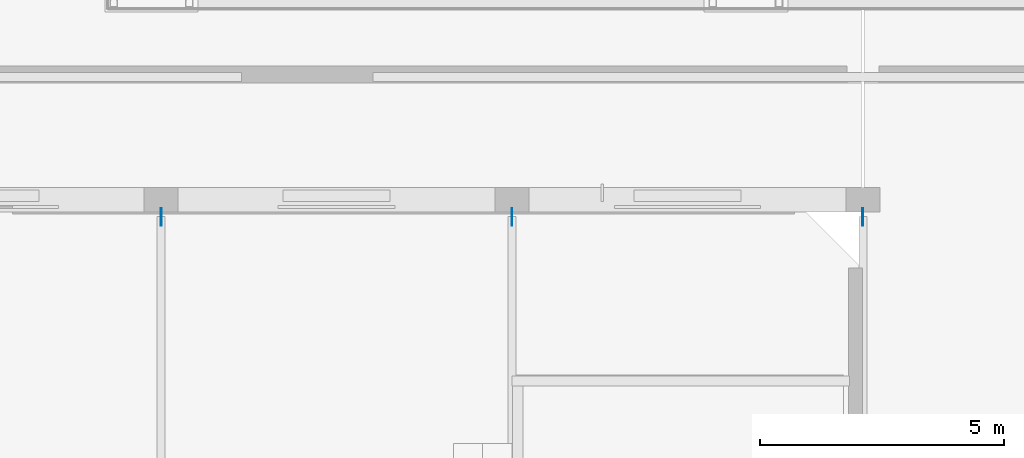
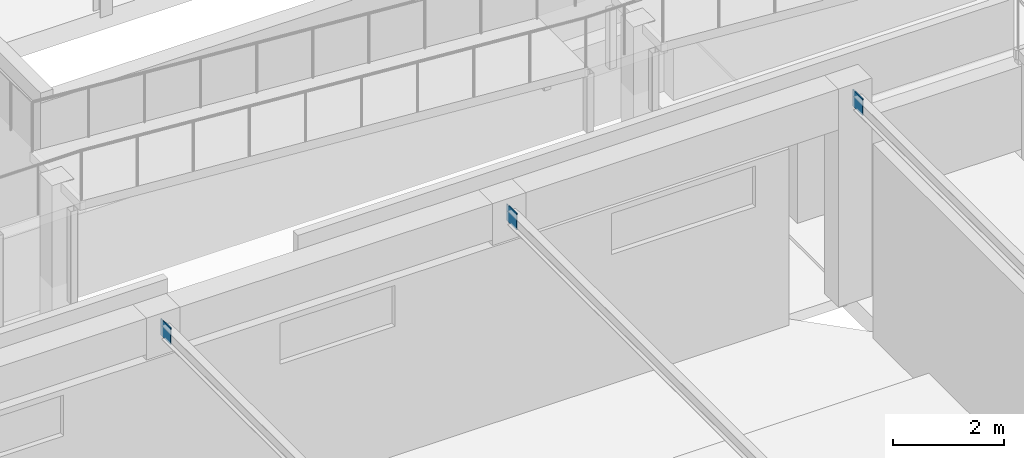
# One storey, part 53 of 85: 3 plates.
"""IFC4 building model written with IfcOpenShell, lengths in metres."""

from ifc_helpers import new_model, si_unit, direction, frame, origin, origin_2d, place, context, subcontext, project, spatial, rectangle, extrude, material, layer, layer_set, type_object, element, save


model = new_model("IFC4")

# Units and contexts
model_context = context("Model", 3, precision=1e-05, world=origin(), true_north=direction((0.0, 1.0)))
body_context = subcontext(model_context, "Body", "Model", "MODEL_VIEW")
ifc_project = project(units=[si_unit("LENGTHUNIT", "METRE"), si_unit("AREAUNIT", "SQUARE_METRE"), si_unit("VOLUMEUNIT", "CUBIC_METRE"), si_unit("PLANEANGLEUNIT", "RADIAN"), si_unit("MASSUNIT", "GRAM", prefix="KILO")], contexts=[model_context])

# Site, building, storey
site_placement = place(None, origin())
site = spatial("IfcSite", under=ifc_project, at=site_placement, CompositionType="ELEMENT")
building_placement = place(site_placement, origin())
building = spatial("IfcBuilding", under=site, at=building_placement, Name="Ochrevale Crest", CompositionType="ELEMENT")
storey_placement = place(building_placement, origin())
storey = spatial("IfcBuildingStorey", under=building, at=storey_placement, Name="L00", CompositionType="ELEMENT", Elevation=0.0)

# Plates
ifc_material = material(Name="Steel S355", Category="steel")
ifc_layer = layer(ifc_material, 0.02001953125)
ifc_layer_set = layer_set([ifc_layer], Name="Steel S355")
plate_type = type_object("IfcPlateType", Name="PLT-GUSSET-20", PredefinedType="USERDEFINED", material=ifc_layer_set)
for number, where, z_axis, x_axis, name in (
    (1, (93.60009765625, 64.449951171875, 4.27001953125), (0.0, 0.0, 1.0), (1.0, 0.0, 0.0), "Vault tie-beam springing gusset plate 6-N"),
    (2, (100.800048828125, 64.449951171875, 4.27001953125), (0.0, 0.0, 1.0), (1.0, 0.0, 0.0), "Vault tie-beam springing gusset plate 7-N"),
    (3, (108.0, 64.449951171875, 4.27001953125), (0.0, 0.0, 1.0), (1.0, 0.0, 0.0), "Vault tie-beam springing gusset plate 8-N"),
):
    element("IfcPlate", number, at=place(storey_placement, frame(where, z_axis=z_axis, x_axis=x_axis)), inside=storey, type_object=plate_type, Name=name, ObjectType="GUSSET PLATE", PredefinedType="USERDEFINED", context=body_context, shape_type="SweptSolid", body=[
        extrude(rectangle(XDim=0.02001953125, YDim=0.360107421875, at=origin_2d()), origin(), (0.0, 0.0, 1.0), 0.360107421875),
    ])

save(model, "model.ifc")
